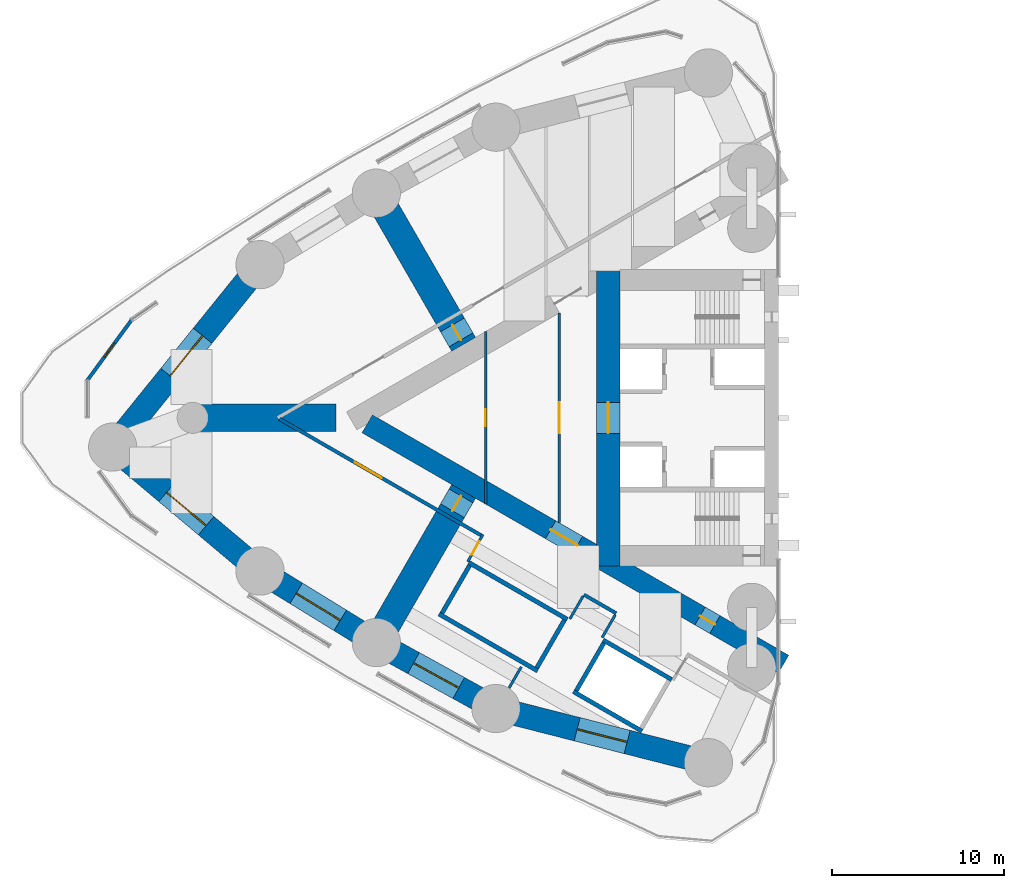
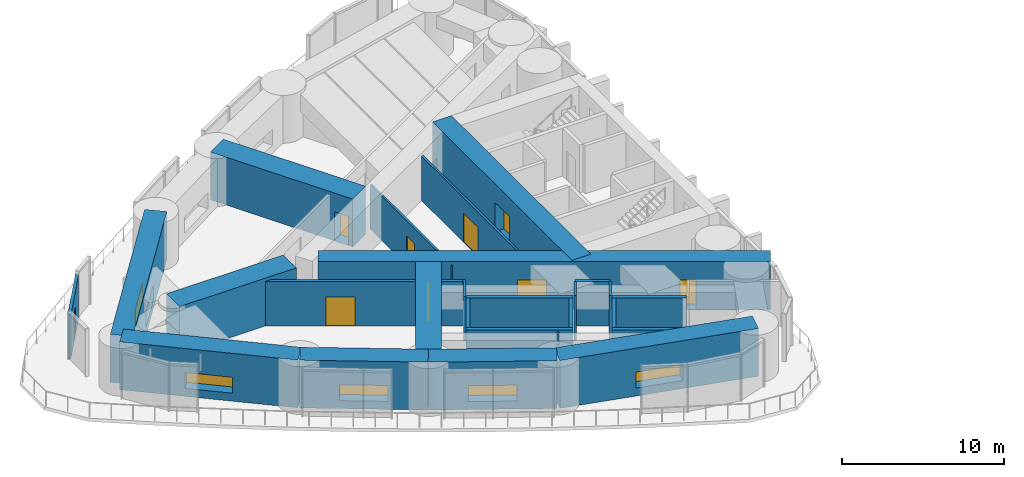
# One storey, part 11 of 17: 26 walls, 10 doors, 5 windows, 15 openings.
"""IFC4 building model written with IfcOpenShell, lengths in metres."""

from ifc_helpers import new_model, si_unit, direction, frame, frame_2d, origin, place, context, subcontext, project, spatial, rectangle, extrude, material, layer, layer_set, type_object, element, fill, save


model = new_model("IFC4")

# Units and contexts
model_context = context("Model", 3, precision=1e-05, world=origin(), true_north=direction((0.0, 1.0)))
body_context = subcontext(model_context, "Body", "Model", "MODEL_VIEW")
ifc_project = project(units=[si_unit("LENGTHUNIT", "METRE"), si_unit("AREAUNIT", "SQUARE_METRE"), si_unit("VOLUMEUNIT", "CUBIC_METRE"), si_unit("PLANEANGLEUNIT", "RADIAN"), si_unit("MASSUNIT", "GRAM", prefix="KILO")], contexts=[model_context])

# Site, building, storey
site_placement = place(None, origin())
site = spatial("IfcSite", under=ifc_project, at=site_placement, CompositionType="ELEMENT")
building_placement = place(site_placement, origin())
building = spatial("IfcBuilding", under=site, at=building_placement, Name="Lancet Gate Hotel", CompositionType="ELEMENT")
storey_placement = place(building_placement, frame((0.0, 0.0, 152.699951171875)))
storey = spatial("IfcBuildingStorey", under=building, at=storey_placement, Name="L40", CompositionType="ELEMENT", Elevation=152.699951171875)

# Wall, opening, window
ifc_material_1 = material(Name="Concrete C80/95", Category="concrete")
ifc_layer_1 = layer(ifc_material_1, 1.39990234375)
ifc_layer_set_1 = layer_set([ifc_layer_1], Name="Belt wall 1400")
wall_type_1 = type_object("IfcWallType", Name="Belt wall 1400", PredefinedType="SHEAR", material=ifc_layer_set_1)
wall_1_placement = place(storey_placement, frame((-57.589599609375, 8.89306640625, 0.0), z_axis=(0.0, 0.0, 1.0), x_axis=(-0.628373846765, -0.777911504416, 0.0)))
wall_1 = element("IfcWall", 1, at=wall_1_placement, inside=storey, type_object=wall_type_1, Name="T1 belt wall OS3-CA L40", PredefinedType="SHEAR", context=body_context, shape_type="SweptSolid", body=[
    extrude(rectangle(XDim=13.611328125, YDim=1.39990234375, at=frame_2d((6.8056640625, 0.0))), origin(), (0.0, 0.0, 1.0), 3.60009765625),
])
opening_1_placement = place(wall_1_placement, frame((5.3056640625, 0.0, 0.60009765625)))
opening_1 = element("IfcOpeningElement", 2, at=opening_1_placement, cuts=wall_1, Name="Opening LV1", PredefinedType="OPENING", context=body_context, shape_type="SweptSolid", body=[
    extrude(rectangle(XDim=3.0, YDim=1.199951171875, at=frame_2d((1.5, 0.60009765625))), frame((0.0, 0.7099609375, 0.0), z_axis=(0.0, -1.0, 0.0), x_axis=(1.0, 0.0, 0.0)), (0.0, 0.0, 1.0), 1.419921875),
])
ifc_material_2 = material(Name="Aluminium weather louvre", Category="aluminium")
window_type = type_object("IfcWindowType", Name="Refuge louvre 3000x1200", PartitioningType="SINGLE_PANEL", PredefinedType="WINDOW", material=ifc_material_2)
window_1_placement = place(opening_1_placement, origin())
window_1 = element("IfcWindow", 3, at=window_1_placement, inside=storey, type_object=window_type, Name="T1 belt louvre OS3-CA L40", OverallHeight=1.199951171875, OverallWidth=3.0, PartitioningType="SINGLE_PANEL", PredefinedType="WINDOW", context=body_context, shape_type="SweptSolid", body=[
    extrude(rectangle(XDim=3.0, YDim=1.199951171875, at=frame_2d((1.5, 0.60009765625))), frame((0.0, 0.030029296875, 0.0), z_axis=(0.0, -1.0, 0.0), x_axis=(1.0, 0.0, 0.0)), (0.0, 0.0, 1.0), 0.06005859375),
])
fill(opening_1, window_1)

wall_2_placement = place(storey_placement, frame((-66.142578125, -1.6953125, 0.0), z_axis=(0.0, 0.0, 1.0), x_axis=(0.765120708367, -0.64388687021, 0.0)))
wall_2 = element("IfcWall", 4, at=wall_2_placement, inside=storey, type_object=wall_type_1, Name="T1 belt wall CA-ON1 L40", PredefinedType="SHEAR", context=body_context, shape_type="SweptSolid", body=[
    extrude(rectangle(XDim=11.1787109375, YDim=1.39990234375, at=frame_2d((5.58935546875, 0.0))), origin(), (0.0, 0.0, 1.0), 3.60009765625),
])
opening_2_placement = place(wall_2_placement, frame((4.08935546875, 0.0, 0.60009765625)))
opening_2 = element("IfcOpeningElement", 5, at=opening_2_placement, cuts=wall_2, Name="Opening LV1", PredefinedType="OPENING", context=body_context, shape_type="SweptSolid", body=[
    extrude(rectangle(XDim=3.0, YDim=1.199951171875, at=frame_2d((1.5, 0.60009765625))), frame((0.0, 0.7099609375, 0.0), z_axis=(0.0, -1.0, 0.0), x_axis=(1.0, 0.0, 0.0)), (0.0, 0.0, 1.0), 1.419921875),
])
window_2_placement = place(opening_2_placement, origin())
window_2 = element("IfcWindow", 6, at=window_2_placement, inside=storey, type_object=window_type, Name="T1 belt louvre CA-ON1 L40", OverallHeight=1.199951171875, OverallWidth=3.0, PartitioningType="SINGLE_PANEL", PredefinedType="WINDOW", context=body_context, shape_type="SweptSolid", body=[
    extrude(rectangle(XDim=3.0, YDim=1.199951171875, at=frame_2d((1.5, 0.60009765625))), frame((0.0, 0.030029296875, 0.0), z_axis=(0.0, -1.0, 0.0), x_axis=(1.0, 0.0, 0.0)), (0.0, 0.0, 1.0), 0.06005859375),
])
fill(opening_2, window_2)

wall_3_placement = place(storey_placement, frame((-57.589599609375, -8.89306640625, 0.0), z_axis=(0.0, 0.0, 1.0), x_axis=(0.851892008043, -0.523717487423, 0.0)))
wall_3 = element("IfcWall", 7, at=wall_3_placement, inside=storey, type_object=wall_type_1, Name="T1 belt wall ON1-ON2 L40", PredefinedType="SHEAR", context=body_context, shape_type="SweptSolid", body=[
    extrude(rectangle(XDim=7.92431640625, YDim=1.39990234375, at=frame_2d((3.962158203125, 0.0))), origin(), (0.0, 0.0, 1.0), 3.60009765625),
])
opening_3_placement = place(wall_3_placement, frame((2.462158203125, 0.0, 0.60009765625)))
opening_3 = element("IfcOpeningElement", 8, at=opening_3_placement, cuts=wall_3, Name="Opening LV1", PredefinedType="OPENING", context=body_context, shape_type="SweptSolid", body=[
    extrude(rectangle(XDim=3.0, YDim=1.199951171875, at=frame_2d((1.5, 0.60009765625))), frame((0.0, 0.7099609375, 0.0), z_axis=(0.0, -1.0, 0.0), x_axis=(1.0, 0.0, 0.0)), (0.0, 0.0, 1.0), 1.419921875),
])
window_3_placement = place(opening_3_placement, origin())
window_3 = element("IfcWindow", 9, at=window_3_placement, inside=storey, type_object=window_type, Name="T1 belt louvre ON1-ON2 L40", OverallHeight=1.199951171875, OverallWidth=3.0, PartitioningType="SINGLE_PANEL", PredefinedType="WINDOW", context=body_context, shape_type="SweptSolid", body=[
    extrude(rectangle(XDim=3.0, YDim=1.199951171875, at=frame_2d((1.5, 0.60009765625))), frame((0.0, 0.030029296875, 0.0), z_axis=(0.0, -1.0, 0.0), x_axis=(1.0, 0.0, 0.0)), (0.0, 0.0, 1.0), 0.06005859375),
])
fill(opening_3, window_3)

wall_4_placement = place(storey_placement, frame((-50.8388671875, -13.043212890625, 0.0), z_axis=(0.0, 0.0, 1.0), x_axis=(0.875577684027, -0.483077342911, 0.0)))
wall_4 = element("IfcWall", 10, at=wall_4_placement, inside=storey, type_object=wall_type_1, Name="T1 belt wall ON2-ON3 L40", PredefinedType="SHEAR", context=body_context, shape_type="SweptSolid", body=[
    extrude(rectangle(XDim=7.924560546875, YDim=1.39990234375, at=frame_2d((3.96240234375, 0.0))), origin(), (0.0, 0.0, 1.0), 3.60009765625),
])
opening_4_placement = place(wall_4_placement, frame((2.462158203125, 0.0, 0.60009765625)))
opening_4 = element("IfcOpeningElement", 11, at=opening_4_placement, cuts=wall_4, Name="Opening LV1", PredefinedType="OPENING", context=body_context, shape_type="SweptSolid", body=[
    extrude(rectangle(XDim=3.0, YDim=1.199951171875, at=frame_2d((1.5, 0.60009765625))), frame((0.0, 0.7099609375, 0.0), z_axis=(0.0, -1.0, 0.0), x_axis=(1.0, 0.0, 0.0)), (0.0, 0.0, 1.0), 1.419921875),
])
window_4_placement = place(opening_4_placement, origin())
window_4 = element("IfcWindow", 12, at=window_4_placement, inside=storey, type_object=window_type, Name="T1 belt louvre ON2-ON3 L40", OverallHeight=1.199951171875, OverallWidth=3.0, PartitioningType="SINGLE_PANEL", PredefinedType="WINDOW", context=body_context, shape_type="SweptSolid", body=[
    extrude(rectangle(XDim=3.0, YDim=1.199951171875, at=frame_2d((1.5, 0.60009765625))), frame((0.0, 0.030029296875, 0.0), z_axis=(0.0, -1.0, 0.0), x_axis=(1.0, 0.0, 0.0)), (0.0, 0.0, 1.0), 0.06005859375),
])
fill(opening_4, window_4)

wall_5_placement = place(storey_placement, frame((-43.900390625, -16.871337890625, 0.0), z_axis=(0.0, 0.0, 1.0), x_axis=(0.969008414312, -0.247027717052, 0.0)))
wall_5 = element("IfcWall", 13, at=wall_5_placement, inside=storey, type_object=wall_type_1, Name="T1 belt wall ON3-CN L40", PredefinedType="SHEAR", context=body_context, shape_type="SweptSolid", body=[
    extrude(rectangle(XDim=12.7294921875, YDim=1.39990234375, at=frame_2d((6.36474609375, 0.0))), origin(), (0.0, 0.0, 1.0), 3.60009765625),
])
opening_5_placement = place(wall_5_placement, frame((4.86474609375, 0.0, 0.60009765625)))
opening_5 = element("IfcOpeningElement", 14, at=opening_5_placement, cuts=wall_5, Name="Opening LV1", PredefinedType="OPENING", context=body_context, shape_type="SweptSolid", body=[
    extrude(rectangle(XDim=3.0, YDim=1.199951171875, at=frame_2d((1.5, 0.60009765625))), frame((0.0, 0.7099609375, 0.0), z_axis=(0.0, -1.0, 0.0), x_axis=(1.0, 0.0, 0.0)), (0.0, 0.0, 1.0), 1.419921875),
])
window_5_placement = place(opening_5_placement, origin())
window_5 = element("IfcWindow", 15, at=window_5_placement, inside=storey, type_object=window_type, Name="T1 belt louvre ON3-CN L40", OverallHeight=1.199951171875, OverallWidth=3.0, PartitioningType="SINGLE_PANEL", PredefinedType="WINDOW", context=body_context, shape_type="SweptSolid", body=[
    extrude(rectangle(XDim=3.0, YDim=1.199951171875, at=frame_2d((1.5, 0.60009765625))), frame((0.0, 0.030029296875, 0.0), z_axis=(0.0, -1.0, 0.0), x_axis=(1.0, 0.0, 0.0)), (0.0, 0.0, 1.0), 0.06005859375),
])
fill(opening_5, window_5)

# Wall, openings, doors
ifc_material_3 = material(Name="Concrete C70/85", Category="concrete")
ifc_layer_2 = layer(ifc_material_3, 1.199951171875)
ifc_layer_set_2 = layer_set([ifc_layer_2], Name="Buttress wall 1200")
wall_type_2 = type_object("IfcWallType", Name="Buttress wall 1200", PredefinedType="SHEAR", material=ifc_layer_set_2)
wall_6_placement = place(storey_placement, frame((-27.199951171875, -14.300048828125, 0.0), z_axis=(0.0, 0.0, 1.0), x_axis=(-0.866024021859, 0.500002393557, 0.0)))
wall_6 = element("IfcWall", 16, at=wall_6_placement, inside=storey, type_object=wall_type_2, Name="T1 buttress wall N L40", PredefinedType="SHEAR", context=body_context, shape_type="SweptSolid", body=[
    extrude(rectangle(XDim=27.906982421875, YDim=1.199951171875, at=frame_2d((13.95361328125, 0.0))), origin(), (0.0, 0.0, 1.0), 3.60009765625),
])
opening_6_placement = place(wall_6_placement, frame((4.60009765625, 0.0, 0.0)))
opening_6 = element("IfcOpeningElement", 17, at=opening_6_placement, cuts=wall_6, Name="Opening T1-L40-LN", PredefinedType="OPENING", context=body_context, shape_type="SweptSolid", body=[
    extrude(rectangle(XDim=1.0, YDim=2.199951171875, at=frame_2d((0.5, 1.10009765625))), frame((0.0, 0.60986328125, 0.0), z_axis=(0.0, -1.0, 0.0), x_axis=(1.0, 0.0, 0.0)), (0.0, 0.0, 1.0), 1.219970703125),
])
opening_7_placement = place(wall_6_placement, frame((13.818115234375, 0.0, 0.0)))
opening_7 = element("IfcOpeningElement", 18, at=opening_7_placement, cuts=wall_6, Name="Opening T1-L40-LHN", PredefinedType="OPENING", context=body_context, shape_type="SweptSolid", body=[
    extrude(rectangle(XDim=1.800048828125, YDim=2.199951171875, at=frame_2d((0.89990234375, 1.10009765625))), frame((0.0, 0.60986328125, 0.0), z_axis=(0.0, -1.0, 0.0), x_axis=(1.0, 0.0, 0.0)), (0.0, 0.0, 1.0), 1.219970703125),
])
ifc_material_4 = material(Name="Timber door set", Category="wood")
door_type_1 = type_object("IfcDoorType", Name="Lobby double door 1800", OperationType="DOUBLE_DOOR_SINGLE_SWING", PredefinedType="DOOR", material=ifc_material_4)
door_1_placement = place(opening_7_placement, origin())
door_1 = element("IfcDoor", 19, at=door_1_placement, inside=storey, type_object=door_type_1, Name="T1-L40-LHN", OperationType="DOUBLE_DOOR_SINGLE_SWING", OverallHeight=2.199951171875, OverallWidth=1.800048828125, PredefinedType="DOOR", context=body_context, shape_type="SweptSolid", body=[
    extrude(rectangle(XDim=1.800048828125, YDim=2.199951171875, at=frame_2d((0.89990234375, 1.10009765625))), frame((0.0, 0.02490234375, 0.0), z_axis=(0.0, -1.0, 0.0), x_axis=(1.0, 0.0, 0.0)), (0.0, 0.0, 1.0), 0.050048828125),
])
fill(opening_7, door_1)
ifc_material_5 = material(Name="Timber door set", Category="wood")
door_type_2 = type_object("IfcDoorType", Name="Stair lobby door 1000", OperationType="SINGLE_SWING_LEFT", PredefinedType="DOOR", material=ifc_material_5)
door_2_placement = place(opening_6_placement, origin())
door_2 = element("IfcDoor", 20, at=door_2_placement, inside=storey, type_object=door_type_2, Name="T1-L40-LN", OperationType="SINGLE_SWING_LEFT", OverallHeight=2.199951171875, OverallWidth=1.0, PredefinedType="DOOR", context=body_context, shape_type="SweptSolid", body=[
    extrude(rectangle(XDim=1.0, YDim=2.199951171875, at=frame_2d((0.5, 1.10009765625))), frame((0.0, 0.02490234375, 0.0), z_axis=(0.0, -1.0, 0.0), x_axis=(1.0, 0.0, 0.0)), (0.0, 0.0, 1.0), 0.050048828125),
])
fill(opening_6, door_2)

# Wall, opening, door
ifc_material_6 = material(Name="Concrete C70/85", Category="concrete")
ifc_layer_3 = layer(ifc_material_6, 1.35009765625)
ifc_layer_set_3 = layer_set([ifc_layer_3], Name="Core back wall 1350, outrigger storeys")
wall_type_3 = type_object("IfcWallType", Name="Core back wall 1350, outrigger storeys", PredefinedType="SHEAR", material=ifc_layer_set_3)
wall_7_placement = place(storey_placement, frame((-37.375, 8.60009765625, 0.0), z_axis=(0.0, 0.0, 1.0), x_axis=(0.0, -1.0, 0.0)))
wall_7 = element("IfcWall", 21, at=wall_7_placement, inside=storey, type_object=wall_type_3, Name="T1 core wall back L40", PredefinedType="SHEAR", context=body_context, shape_type="SweptSolid", body=[
    extrude(rectangle(XDim=17.2001953125, YDim=1.35009765625, at=frame_2d((8.60009765625, 0.0))), origin(), (0.0, 0.0, 1.0), 3.60009765625),
])
opening_8_placement = place(wall_7_placement, frame((7.699951171875, 0.0, 0.0)))
opening_8 = element("IfcOpeningElement", 22, at=opening_8_placement, cuts=wall_7, Name="Opening T1-L40-LL", PredefinedType="OPENING", context=body_context, shape_type="SweptSolid", body=[
    extrude(rectangle(XDim=1.800048828125, YDim=2.199951171875, at=frame_2d((0.89990234375, 1.10009765625))), frame((0.0, 0.68505859375, 0.0), z_axis=(0.0, -1.0, 0.0), x_axis=(1.0, 0.0, 0.0)), (0.0, 0.0, 1.0), 1.3701171875),
])
door_3_placement = place(opening_8_placement, origin())
door_3 = element("IfcDoor", 23, at=door_3_placement, inside=storey, type_object=door_type_1, Name="T1-L40-LL", OperationType="DOUBLE_DOOR_SINGLE_SWING", OverallHeight=2.199951171875, OverallWidth=1.800048828125, PredefinedType="DOOR", context=body_context, shape_type="SweptSolid", body=[
    extrude(rectangle(XDim=1.800048828125, YDim=2.199951171875, at=frame_2d((0.89990234375, 1.10009765625))), frame((0.0, 0.02490234375, 0.0), z_axis=(0.0, -1.0, 0.0), x_axis=(1.0, 0.0, 0.0)), (0.0, 0.0, 1.0), 0.050048828125),
])
fill(opening_8, door_3)

# Wall
ifc_material_7 = material(Name="Gypsum board partition")
ifc_layer_4 = layer(ifc_material_7, 0.199951171875)
ifc_layer_set_4 = layer_set([ifc_layer_4], Name="Corridor wall 200")
wall_type_4 = type_object("IfcWallType", Name="Corridor wall 200", PredefinedType="PARTITIONING", material=ifc_layer_set_4)
wall_8_placement = place(storey_placement, frame((-36.920166015625, -11.34375, 0.0), z_axis=(0.0, 0.0, 1.0), x_axis=(-0.866065156741, 0.499931139538, 0.0)))
element("IfcWall", 24, at=wall_8_placement, inside=storey, type_object=wall_type_4, Name="T1 corridor wall 200 L40", PredefinedType="PARTITIONING", context=body_context, shape_type="SweptSolid", body=[
    extrude(rectangle(XDim=2.160400390625, YDim=0.199951171875, at=frame_2d((1.080078125, 0.0))), origin(), (0.0, 0.0, 1.0), 3.35009765625),
])

# Wall, opening, door
wall_9_placement = place(storey_placement, frame((-44.715087890625, -6.843505859375, 0.0), z_axis=(0.0, 0.0, 1.0), x_axis=(-0.866025261224, 0.500000246922, 0.0)))
wall_9 = element("IfcWall", 25, at=wall_9_placement, inside=storey, type_object=wall_type_4, Name="T1 corridor wall 200 L40", PredefinedType="PARTITIONING", context=body_context, shape_type="SweptSolid", body=[
    extrude(rectangle(XDim=13.56689453125, YDim=0.199951171875, at=frame_2d((6.783447265625, 0.0))), origin(), (0.0, 0.0, 1.0), 3.35009765625),
])
opening_9_placement = place(wall_9_placement, frame((6.71923828125, 0.0, 0.0)))
opening_9 = element("IfcOpeningElement", 26, at=opening_9_placement, cuts=wall_9, Name="Opening T1-L40-RD05", PredefinedType="OPENING", context=body_context, shape_type="SweptSolid", body=[
    extrude(rectangle(XDim=1.800048828125, YDim=2.199951171875, at=frame_2d((0.89990234375, 1.10009765625))), frame((0.0, 0.10986328125, 0.0), z_axis=(0.0, -1.0, 0.0), x_axis=(1.0, 0.0, 0.0)), (0.0, 0.0, 1.0), 0.219970703125),
])
ifc_material_8 = material(Name="Timber door set", Category="wood")
door_type_3 = type_object("IfcDoorType", Name="Double door 1800", OperationType="DOUBLE_DOOR_SINGLE_SWING", PredefinedType="DOOR", material=ifc_material_8)
door_4_placement = place(opening_9_placement, origin())
door_4 = element("IfcDoor", 27, at=door_4_placement, inside=storey, type_object=door_type_3, Name="T1-L40-RD05", OperationType="DOUBLE_DOOR_SINGLE_SWING", OverallHeight=2.199951171875, OverallWidth=1.800048828125, PredefinedType="DOOR", context=body_context, shape_type="SweptSolid", body=[
    extrude(rectangle(XDim=1.800048828125, YDim=2.199951171875, at=frame_2d((0.89990234375, 1.10009765625))), frame((0.0, 0.02490234375, 0.0), z_axis=(0.0, -1.0, 0.0), x_axis=(1.0, 0.0, 0.0)), (0.0, 0.0, 1.0), 0.050048828125),
])
fill(opening_9, door_4)

ifc_material_9 = material(Name="Glazed aluminium screen", Category="aluminium")
ifc_layer_5 = layer(ifc_material_9, 0.199951171875)
ifc_layer_set_5 = layer_set([ifc_layer_5], Name="Glazed entrance screen 200")
wall_type_5 = type_object("IfcWallType", Name="Glazed entrance screen 200", PredefinedType="STANDARD", material=ifc_layer_set_5)
wall_10_placement = place(storey_placement, frame((-67.61572265625, 2.177490234375, 0.0), z_axis=(0.0, 0.0, 1.0), x_axis=(0.591310200732, 0.806444199254, 0.0)))
wall_10 = element("IfcWall", 28, at=wall_10_placement, inside=storey, type_object=wall_type_5, Name="T1 maintenance roof screen L40", PredefinedType="STANDARD", context=body_context, shape_type="SweptSolid", body=[
    extrude(rectangle(XDim=4.35546875, YDim=0.199951171875, at=frame_2d((2.177734375, 0.0))), origin(), (0.0, 0.0, 1.0), 3.35009765625),
])
opening_10_placement = place(wall_10_placement, frame((1.677490234375, 0.0, 0.0)))
opening_10 = element("IfcOpeningElement", 29, at=opening_10_placement, cuts=wall_10, Name="Opening T1-L40-MR", PredefinedType="OPENING", context=body_context, shape_type="SweptSolid", body=[
    extrude(rectangle(XDim=1.0, YDim=2.199951171875, at=frame_2d((0.5, 1.10009765625))), frame((0.0, 0.10986328125, 0.0), z_axis=(0.0, -1.0, 0.0), x_axis=(1.0, 0.0, 0.0)), (0.0, 0.0, 1.0), 0.219970703125),
])
ifc_material_10 = material(Name="Steel door set, weather sealed", Category="steel")
door_type_4 = type_object("IfcDoorType", Name="Maintenance roof door 1000 external", OperationType="SINGLE_SWING_LEFT", PredefinedType="DOOR", material=ifc_material_10)
door_5_placement = place(opening_10_placement, origin())
door_5 = element("IfcDoor", 30, at=door_5_placement, inside=storey, type_object=door_type_4, Name="Maintenance roof access door T1-L40-MR", OperationType="SINGLE_SWING_LEFT", OverallHeight=2.199951171875, OverallWidth=1.0, PredefinedType="DOOR", context=body_context, shape_type="SweptSolid", body=[
    extrude(rectangle(XDim=1.0, YDim=2.199951171875, at=frame_2d((0.5, 1.10009765625))), frame((0.0, 0.02490234375, 0.0), z_axis=(0.0, -1.0, 0.0), x_axis=(1.0, 0.0, 0.0)), (0.0, 0.0, 1.0), 0.050048828125),
])
fill(opening_10, door_5)

# Walls
ifc_material_11 = material(Name="Gypsum board partition")
ifc_layer_6 = layer(ifc_material_11, 0.25)
ifc_layer_set_6 = layer_set([ifc_layer_6], Name="Lift shaft partition 250")
wall_type_6 = type_object("IfcWallType", Name="Lift shaft partition 250", PredefinedType="PARTITIONING", material=ifc_layer_set_6)
wall_11_placement = place(storey_placement, frame((-33.695556640625, -15.197265625, 0.0), z_axis=(0.0, 0.0, 1.0), x_axis=(-0.865976953817, 0.500083908417, 0.0)))
element("IfcWall", 31, at=wall_11_placement, inside=storey, type_object=wall_type_6, Name="T1 lift shaft wall EX L40", PredefinedType="PARTITIONING", context=body_context, shape_type="SweptSolid", body=[
    extrude(rectangle(XDim=4.599365234375, YDim=0.25, at=frame_2d((2.2998046875, 0.0))), origin(), (0.0, 0.0, 1.0), 3.35009765625),
])
wall_12_placement = place(storey_placement, frame((-35.42041015625, -18.185791015625, 0.0), z_axis=(0.0, 0.0, 1.0), x_axis=(-0.865990227814, 0.50006092162, 0.0)))
element("IfcWall", 32, at=wall_12_placement, inside=storey, type_object=wall_type_6, Name="T1 lift shaft wall EX L40", PredefinedType="PARTITIONING", context=body_context, shape_type="SweptSolid", body=[
    extrude(rectangle(XDim=4.599609375, YDim=0.25, at=frame_2d((2.2998046875, 0.0))), origin(), (0.0, 0.0, 1.0), 3.35009765625),
])
wall_13_placement = place(storey_placement, frame((-37.6328125, -13.068115234375, 0.0), z_axis=(0.0, 0.0, 1.0), x_axis=(-0.499872130319, -0.866099216793, 0.0)))
element("IfcWall", 33, at=wall_13_placement, inside=storey, type_object=wall_type_6, Name="T1 lift shaft wall EX L40", PredefinedType="PARTITIONING", context=body_context, shape_type="SweptSolid", body=[
    extrude(rectangle(XDim=3.200439453125, YDim=0.25, at=frame_2d((1.60009765625, 0.0))), origin(), (0.0, 0.0, 1.0), 3.35009765625),
])
wall_14_placement = place(storey_placement, frame((-39.757568359375, -11.697265625, 0.0), z_axis=(0.0, 0.0, 1.0), x_axis=(-0.866024194504, 0.500002094529, 0.0)))
element("IfcWall", 34, at=wall_14_placement, inside=storey, type_object=wall_type_6, Name="T1 lift shaft wall HL L40", PredefinedType="PARTITIONING", context=body_context, shape_type="SweptSolid", body=[
    extrude(rectangle(XDim=6.60009765625, YDim=0.25, at=frame_2d((3.300048828125, 0.0))), origin(), (0.0, 0.0, 1.0), 3.35009765625),
])
wall_15_placement = place(storey_placement, frame((-41.482421875, -14.685791015625, 0.0), z_axis=(0.0, 0.0, 1.0), x_axis=(-0.86603344179, 0.499986077507, 0.0)))
element("IfcWall", 35, at=wall_15_placement, inside=storey, type_object=wall_type_6, Name="T1 lift shaft wall HL L40", PredefinedType="PARTITIONING", context=body_context, shape_type="SweptSolid", body=[
    extrude(rectangle(XDim=6.600341796875, YDim=0.25, at=frame_2d((3.30029296875, 0.0))), origin(), (0.0, 0.0, 1.0), 3.35009765625),
])
for number, where, z_axis, x_axis, name in (
    (36, (-39.92822265625, -11.742919921875, 0.0), (0.0, 0.0, 1.0), (-0.499929347863, -0.866066190972, 0.0), "T1 lift shaft wall HL L40"),
    (37, (-45.427734375, -8.568115234375, 0.0), (0.0, 0.0, 1.0), (-0.499929347863, -0.866066190972, 0.0), "T1 lift shaft wall HL L40"),
):
    element("IfcWall", number, at=place(storey_placement, frame(where, z_axis=z_axis, x_axis=x_axis)), inside=storey, type_object=wall_type_6, Name=name, PredefinedType="PARTITIONING", context=body_context, shape_type="SweptSolid", body=[
        extrude(rectangle(XDim=3.20068359375, YDim=0.25, at=frame_2d((1.600341796875, 0.0))), origin(), (0.0, 0.0, 1.0), 3.35009765625),
    ])

# Wall, opening, door
ifc_material_12 = material(Name="Concrete C80/95", Category="concrete")
ifc_layer_7 = layer(ifc_material_12, 1.60009765625)
ifc_layer_set_7 = layer_set([ifc_layer_7], Name="Outrigger wall 1600")
wall_type_7 = type_object("IfcWallType", Name="Outrigger wall 1600", PredefinedType="SHEAR", material=ifc_layer_set_7)
wall_16_placement = place(storey_placement, frame((-45.7734375, 4.26953125, 0.0), z_axis=(0.0, 0.0, 1.0), x_axis=(-0.499995723283, 0.866027872934, 0.0)))
wall_16 = element("IfcWall", 38, at=wall_16_placement, inside=storey, type_object=wall_type_7, Name="T1 outrigger wall OS2 L40", PredefinedType="SHEAR", context=body_context, shape_type="SweptSolid", body=[
    extrude(rectangle(XDim=10.130859375, YDim=1.60009765625, at=frame_2d((5.0654296875, 0.0))), origin(), (0.0, 0.0, 1.0), 3.60009765625),
])
opening_11_placement = place(wall_16_placement, frame((0.300048828125, 0.0, 0.0)))
opening_11 = element("IfcOpeningElement", 39, at=opening_11_placement, cuts=wall_16, Name="Opening T1-L40-LSO", PredefinedType="OPENING", context=body_context, shape_type="SweptSolid", body=[
    extrude(rectangle(XDim=1.0, YDim=2.199951171875, at=frame_2d((0.5, 1.10009765625))), frame((0.0, 0.81005859375, 0.0), z_axis=(0.0, -1.0, 0.0), x_axis=(1.0, 0.0, 0.0)), (0.0, 0.0, 1.0), 1.6201171875),
])
ifc_material_13 = material(Name="Timber door set", Category="wood")
door_type_5 = type_object("IfcDoorType", Name="Corridor door 1000", OperationType="SINGLE_SWING_LEFT", PredefinedType="DOOR", material=ifc_material_13)
door_6_placement = place(opening_11_placement, origin())
door_6 = element("IfcDoor", 40, at=door_6_placement, inside=storey, type_object=door_type_5, Name="T1-L40-LSO", OperationType="SINGLE_SWING_LEFT", OverallHeight=2.199951171875, OverallWidth=1.0, PredefinedType="DOOR", context=body_context, shape_type="SweptSolid", body=[
    extrude(rectangle(XDim=1.0, YDim=2.199951171875, at=frame_2d((0.5, 1.10009765625))), frame((0.0, 0.02490234375, 0.0), z_axis=(0.0, -1.0, 0.0), x_axis=(1.0, 0.0, 0.0)), (0.0, 0.0, 1.0), 0.050048828125),
])
fill(opening_11, door_6)

# Wall
wall_17_placement = place(storey_placement, frame((-53.168212890625, 0.0, 0.0), z_axis=(0.0, 0.0, 1.0), x_axis=(-1.0, 0.0, 0.0)))
element("IfcWall", 41, at=wall_17_placement, inside=storey, type_object=wall_type_7, Name="T1 outrigger wall CA L40", PredefinedType="SHEAR", context=body_context, shape_type="SweptSolid", body=[
    extrude(rectangle(XDim=8.331787109375, YDim=1.60009765625, at=frame_2d((4.166015625, 0.0))), origin(), (0.0, 0.0, 1.0), 3.60009765625),
])

# Wall, opening, door
wall_18_placement = place(storey_placement, frame((-45.7734375, -4.26953125, 0.0), z_axis=(0.0, 0.0, 1.0), x_axis=(-0.499995723283, -0.866027872934, 0.0)))
wall_18 = element("IfcWall", 42, at=wall_18_placement, inside=storey, type_object=wall_type_7, Name="T1 outrigger wall ON2 L40", PredefinedType="SHEAR", context=body_context, shape_type="SweptSolid", body=[
    extrude(rectangle(XDim=10.130859375, YDim=1.60009765625, at=frame_2d((5.0654296875, 0.0))), origin(), (0.0, 0.0, 1.0), 3.60009765625),
])
opening_12_placement = place(wall_18_placement, frame((0.300048828125, 0.0, 0.0)))
opening_12 = element("IfcOpeningElement", 43, at=opening_12_placement, cuts=wall_18, Name="Opening T1-L40-LNO", PredefinedType="OPENING", context=body_context, shape_type="SweptSolid", body=[
    extrude(rectangle(XDim=1.0, YDim=2.199951171875, at=frame_2d((0.5, 1.10009765625))), frame((0.0, 0.81005859375, 0.0), z_axis=(0.0, -1.0, 0.0), x_axis=(1.0, 0.0, 0.0)), (0.0, 0.0, 1.0), 1.6201171875),
])
door_7_placement = place(opening_12_placement, origin())
door_7 = element("IfcDoor", 44, at=door_7_placement, inside=storey, type_object=door_type_5, Name="T1-L40-LNO", OperationType="SINGLE_SWING_LEFT", OverallHeight=2.199951171875, OverallWidth=1.0, PredefinedType="DOOR", context=body_context, shape_type="SweptSolid", body=[
    extrude(rectangle(XDim=1.0, YDim=2.199951171875, at=frame_2d((0.5, 1.10009765625))), frame((0.0, 0.02490234375, 0.0), z_axis=(0.0, -1.0, 0.0), x_axis=(1.0, 0.0, 0.0)), (0.0, 0.0, 1.0), 0.050048828125),
])
fill(opening_12, door_7)

# Wall
ifc_material_14 = material(Name="Gypsum board partition")
ifc_layer_8 = layer(ifc_material_14, 0.14990234375)
ifc_layer_set_8 = layer_set([ifc_layer_8], Name="Party wall 150")
wall_type_8 = type_object("IfcWallType", Name="Party wall 150", PredefinedType="PARTITIONING", material=ifc_layer_set_8)
wall_19_placement = place(storey_placement, frame((-42.429443359375, -14.45654296875, 0.0), z_axis=(0.0, 0.0, 1.0), x_axis=(-0.5000578829, -0.865991982497, 0.0)))
element("IfcWall", 45, at=wall_19_placement, inside=storey, type_object=wall_type_8, Name="T1 party wall 150 L40", PredefinedType="PARTITIONING", context=body_context, shape_type="SweptSolid", body=[
    extrude(rectangle(XDim=1.406982421875, YDim=0.14990234375, at=frame_2d((0.70361328125, 0.0))), origin(), (0.0, 0.0, 1.0), 3.35009765625),
])

# Wall, opening, door
ifc_material_15 = material(Name="Gypsum board partition")
ifc_layer_9 = layer(ifc_material_15, 0.14990234375)
ifc_layer_set_9 = layer_set([ifc_layer_9], Name="Service room wall 150")
wall_type_9 = type_object("IfcWallType", Name="Service room wall 150", PredefinedType="PARTITIONING", material=ifc_layer_set_9)
wall_20_placement = place(storey_placement, frame((-44.652099609375, -6.764404296875, 0.0), z_axis=(0.0, 0.0, 1.0), x_axis=(-0.485528096672, -0.8742210632, 0.0)))
wall_20 = element("IfcWall", 46, at=wall_20_placement, inside=storey, type_object=wall_type_9, Name="T1 service room wall 150 L40", PredefinedType="PARTITIONING", context=body_context, shape_type="SweptSolid", body=[
    extrude(rectangle(XDim=1.80517578125, YDim=0.14990234375, at=frame_2d((0.902587890625, 0.0))), origin(), (0.0, 0.0, 1.0), 3.35009765625),
])
opening_13_placement = place(wall_20_placement, frame((0.45263671875, 0.0, 0.0)))
opening_13 = element("IfcOpeningElement", 47, at=opening_13_placement, cuts=wall_20, Name="Opening T1-L40-RD07", PredefinedType="OPENING", context=body_context, shape_type="SweptSolid", body=[
    extrude(rectangle(XDim=0.89990234375, YDim=2.0400390625, at=frame_2d((0.449951171875, 1.02001953125))), frame((0.0, 0.0849609375, 0.0), z_axis=(0.0, -1.0, 0.0), x_axis=(1.0, 0.0, 0.0)), (0.0, 0.0, 1.0), 0.169921875),
])
ifc_material_16 = material(Name="Timber door set", Category="wood")
door_type_6 = type_object("IfcDoorType", Name="Guest room entry door 950, 2040 high", OperationType="SINGLE_SWING_LEFT", PredefinedType="DOOR", material=ifc_material_16)
door_8_placement = place(opening_13_placement, origin())
door_8 = element("IfcDoor", 48, at=door_8_placement, inside=storey, type_object=door_type_6, Name="T1-L40-RD07", OperationType="SINGLE_SWING_LEFT", OverallHeight=2.0400390625, OverallWidth=0.89990234375, PredefinedType="DOOR", context=body_context, shape_type="SweptSolid", body=[
    extrude(rectangle(XDim=0.89990234375, YDim=2.0400390625, at=frame_2d((0.449951171875, 1.02001953125))), frame((0.0, 0.02490234375, 0.0), z_axis=(0.0, -1.0, 0.0), x_axis=(1.0, 0.0, 0.0)), (0.0, 0.0, 1.0), 0.050048828125),
])
fill(opening_13, door_8)

# Walls
wall_21_placement = place(storey_placement, frame((-36.97021484375, -11.430419921875, 0.0), z_axis=(0.0, 0.0, 1.0), x_axis=(-0.499985008713, -0.866034058835, 0.0)))
element("IfcWall", 49, at=wall_21_placement, inside=storey, type_object=wall_type_9, Name="T1 service room wall 150 L40", PredefinedType="PARTITIONING", context=body_context, shape_type="SweptSolid", body=[
    extrude(rectangle(XDim=1.529296875, YDim=0.14990234375, at=frame_2d((0.7646484375, 0.0))), origin(), (0.0, 0.0, 1.0), 3.35009765625),
])
wall_22_placement = place(storey_placement, frame((-38.84130859375, -10.35009765625, 0.0), z_axis=(0.0, 0.0, 1.0), x_axis=(-0.499966498333, -0.866044745117, 0.0)))
element("IfcWall", 50, at=wall_22_placement, inside=storey, type_object=wall_type_9, Name="T1 service room wall 150 L40", PredefinedType="PARTITIONING", context=body_context, shape_type="SweptSolid", body=[
    extrude(rectangle(XDim=1.52978515625, YDim=0.14990234375, at=frame_2d((0.764892578125, 0.0))), origin(), (0.0, 0.0, 1.0), 3.35009765625),
])

# Wall, opening, door
wall_23_placement = place(storey_placement, frame((-40.22509765625, 6.087158203125, 0.0), z_axis=(0.0, 0.0, 1.0), x_axis=(0.0, -1.0, 0.0)))
wall_23 = element("IfcWall", 51, at=wall_23_placement, inside=storey, type_object=wall_type_9, Name="T1 service room wall 150 L40", PredefinedType="PARTITIONING", context=body_context, shape_type="SweptSolid", body=[
    extrude(rectangle(XDim=12.17431640625, YDim=0.14990234375, at=frame_2d((6.087158203125, 0.0))), origin(), (0.0, 0.0, 1.0), 3.35009765625),
])
opening_14_placement = place(wall_23_placement, frame((5.187255859375, 0.0, 0.0)))
opening_14 = element("IfcOpeningElement", 52, at=opening_14_placement, cuts=wall_23, Name="Opening T1-L40-LH", PredefinedType="OPENING", context=body_context, shape_type="SweptSolid", body=[
    extrude(rectangle(XDim=1.800048828125, YDim=2.199951171875, at=frame_2d((0.89990234375, 1.10009765625))), frame((0.0, 0.0849609375, 0.0), z_axis=(0.0, -1.0, 0.0), x_axis=(1.0, 0.0, 0.0)), (0.0, 0.0, 1.0), 0.169921875),
])
door_9_placement = place(opening_14_placement, origin())
door_9 = element("IfcDoor", 53, at=door_9_placement, inside=storey, type_object=door_type_1, Name="T1-L40-LH", OperationType="DOUBLE_DOOR_SINGLE_SWING", OverallHeight=2.199951171875, OverallWidth=1.800048828125, PredefinedType="DOOR", context=body_context, shape_type="SweptSolid", body=[
    extrude(rectangle(XDim=1.800048828125, YDim=2.199951171875, at=frame_2d((0.89990234375, 1.10009765625))), frame((0.0, 0.02490234375, 0.0), z_axis=(0.0, -1.0, 0.0), x_axis=(1.0, 0.0, 0.0)), (0.0, 0.0, 1.0), 0.050048828125),
])
fill(opening_14, door_9)

wall_24_placement = place(storey_placement, frame((-44.5, 5.004638671875, 0.0), z_axis=(0.0, 0.0, 1.0), x_axis=(0.0, -1.0, 0.0)))
wall_24 = element("IfcWall", 54, at=wall_24_placement, inside=storey, type_object=wall_type_9, Name="T1 service room wall 150 L40", PredefinedType="PARTITIONING", context=body_context, shape_type="SweptSolid", body=[
    extrude(rectangle(XDim=10.00927734375, YDim=0.14990234375, at=frame_2d((5.004638671875, 0.0))), origin(), (0.0, 0.0, 1.0), 3.35009765625),
])
opening_15_placement = place(wall_24_placement, frame((4.504638671875, 0.0, 0.0)))
opening_15 = element("IfcOpeningElement", 55, at=opening_15_placement, cuts=wall_24, Name="Opening T1-L40-SV", PredefinedType="OPENING", context=body_context, shape_type="SweptSolid", body=[
    extrude(rectangle(XDim=1.0, YDim=2.199951171875, at=frame_2d((0.5, 1.10009765625))), frame((0.0, 0.0849609375, 0.0), z_axis=(0.0, -1.0, 0.0), x_axis=(1.0, 0.0, 0.0)), (0.0, 0.0, 1.0), 0.169921875),
])
ifc_material_17 = material(Name="Timber door set", Category="wood")
door_type_7 = type_object("IfcDoorType", Name="Service door 1000", OperationType="SINGLE_SWING_LEFT", PredefinedType="DOOR", material=ifc_material_17)
door_10_placement = place(opening_15_placement, origin())
door_10 = element("IfcDoor", 56, at=door_10_placement, inside=storey, type_object=door_type_7, Name="T1-L40-SV", OperationType="SINGLE_SWING_LEFT", OverallHeight=2.199951171875, OverallWidth=1.0, PredefinedType="DOOR", context=body_context, shape_type="SweptSolid", body=[
    extrude(rectangle(XDim=1.0, YDim=2.199951171875, at=frame_2d((0.5, 1.10009765625))), frame((0.0, 0.02490234375, 0.0), z_axis=(0.0, -1.0, 0.0), x_axis=(1.0, 0.0, 0.0)), (0.0, 0.0, 1.0), 0.050048828125),
])
fill(opening_15, door_10)

save(model, "model.ifc")
